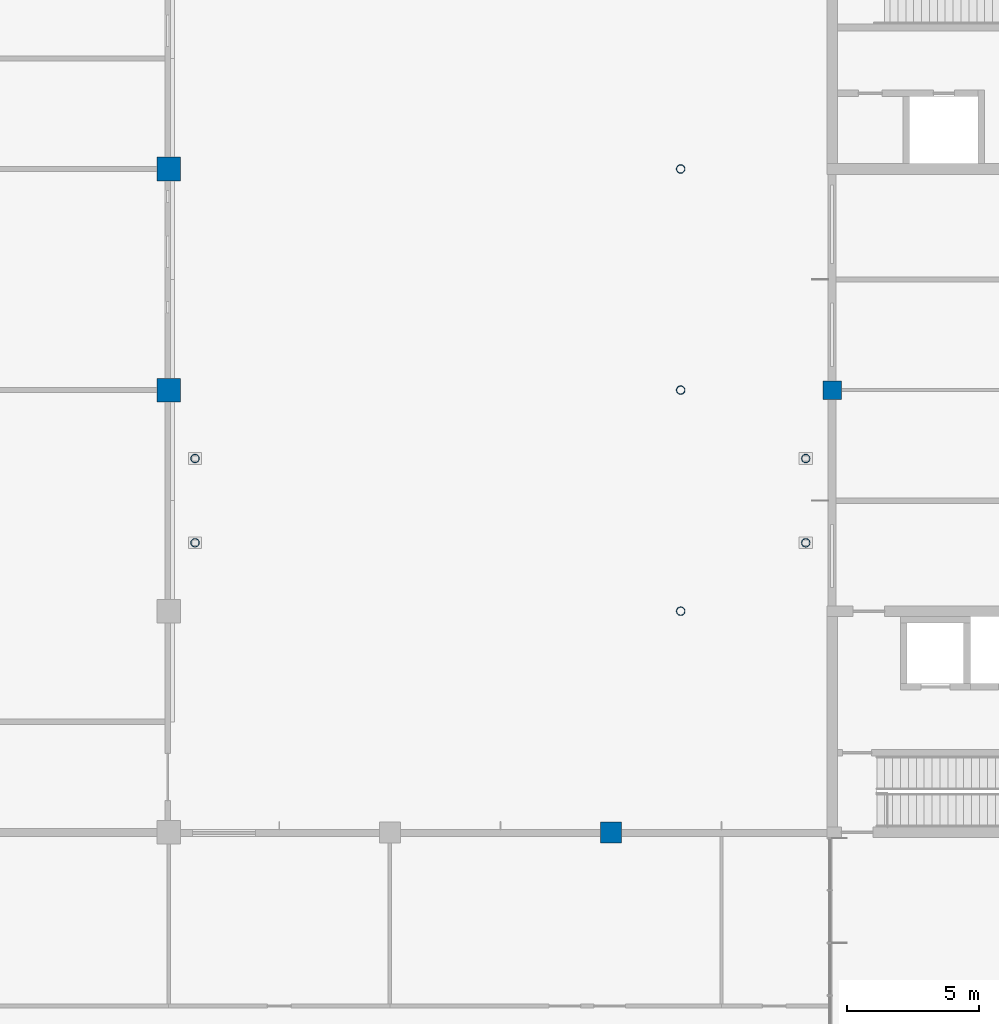
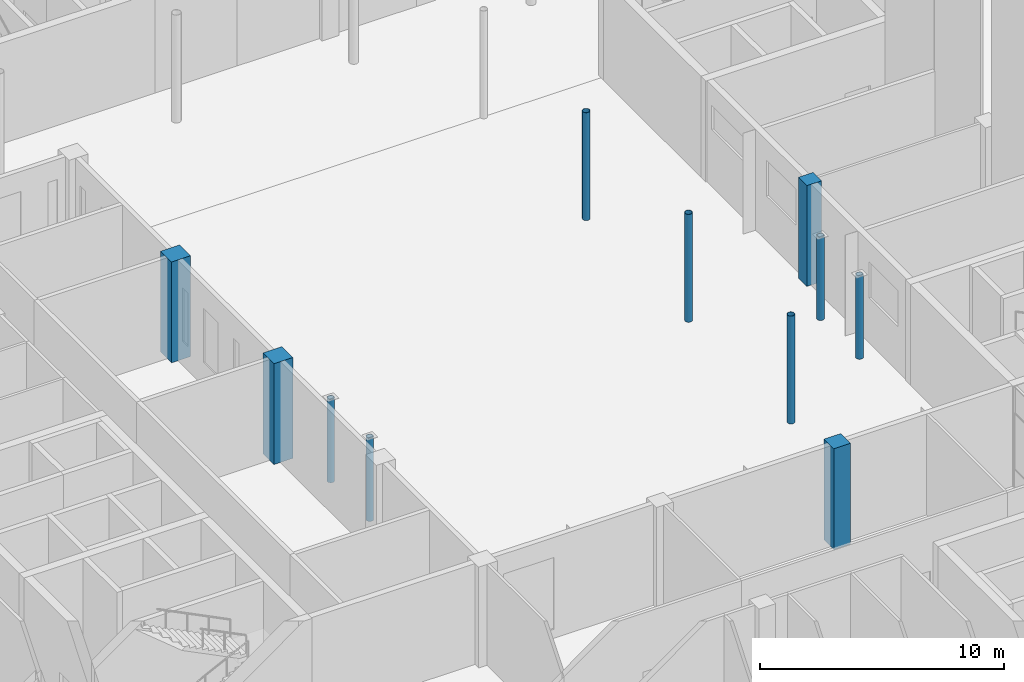
# One storey, part 4 of 76: 11 columns.
"""IFC4 building model written with IfcOpenShell, lengths in metres."""

from ifc_helpers import new_model, si_unit, direction, frame, origin, origin_2d, place, context, subcontext, project, spatial, rectangle, hollow_circle, extrude, material, material_profile, profile_set, type_object, element, save


model = new_model("IFC4")

# Units and contexts
model_context = context("Model", 3, precision=1e-05, world=origin(), true_north=direction((0.0, 1.0)))
body_context = subcontext(model_context, "Body", "Model", "MODEL_VIEW")
ifc_project = project(units=[si_unit("LENGTHUNIT", "METRE"), si_unit("AREAUNIT", "SQUARE_METRE"), si_unit("VOLUMEUNIT", "CUBIC_METRE"), si_unit("PLANEANGLEUNIT", "RADIAN"), si_unit("MASSUNIT", "GRAM", prefix="KILO")], contexts=[model_context])

# Site, building, storey
site_placement = place(None, origin())
site = spatial("IfcSite", under=ifc_project, at=site_placement, CompositionType="ELEMENT")
building_placement = place(site_placement, origin())
building = spatial("IfcBuilding", under=site, at=building_placement, Name="Hlaing Beacon Police Headquarters", CompositionType="ELEMENT")
storey_placement = place(building_placement, origin())
storey = spatial("IfcBuildingStorey", under=building, at=storey_placement, Name="L00", CompositionType="ELEMENT", Elevation=0.0)

# Columns
ifc_material_1 = material(Name="Steel ASTM A500 Grade C", Category="steel")
ifc_material_profile_1 = material_profile(ifc_material_1, hollow_circle(Radius=0.161865234375, WallThickness=0.0126953125, at=origin_2d()), Name="HSS12.750x0.500")
ifc_profile_set_1 = profile_set([ifc_material_profile_1], Name="Steel ASTM A500 Grade C")
column_type_1 = type_object("IfcColumnType", Name="Eave post HSS12.750x0.500", PredefinedType="COLUMN", material=ifc_profile_set_1)
for number, where, z_axis, x_axis, name in (
    (1, (53.050048828125, 42.0, 0.0), (0.0, 0.0, 1.0), (1.0, 0.0, 0.0), "STR-RT-V1-EP2-L00"),
    (2, (53.050048828125, 50.39990234375, 0.0), (0.0, 0.0, 1.0), (1.0, 0.0, 0.0), "STR-RT-V1-EP3-L00"),
    (3, (53.050048828125, 58.800048828125, 0.0), (0.0, 0.0, 1.0), (1.0, 0.0, 0.0), "STR-RT-V1-EP4-L00"),
):
    element("IfcColumn", number, at=place(storey_placement, frame(where, z_axis=z_axis, x_axis=x_axis)), inside=storey, type_object=column_type_1, Name=name, PredefinedType="COLUMN", context=body_context, shape_type="SweptSolid", body=[
        extrude(hollow_circle(Radius=0.161865234375, WallThickness=0.0126953125, at=origin_2d()), origin(), (0.0, 0.0, 1.0), 5.39990234375),
    ])
ifc_material_2 = material(Name="Concrete C50/60", Category="concrete")
ifc_material_profile_2 = material_profile(ifc_material_2, rectangle(XDim=0.699951171875, YDim=0.699951171875, at=origin_2d()), Name="700x700")
ifc_profile_set_2 = profile_set([ifc_material_profile_2], Name="Concrete C50/60")
column_type_2 = type_object("IfcColumnType", Name="RC column 700x700 C50/60", PredefinedType="COLUMN", material=ifc_profile_set_2)
column_1_placement = place(storey_placement, frame((58.800048828125, 50.39990234375, 0.0), z_axis=(0.0, 0.0, 1.0), x_axis=(1.0, 0.0, 0.0)))
element("IfcColumn", 4, at=column_1_placement, inside=storey, type_object=column_type_2, Name="STR-COL-L00-H7", PredefinedType="COLUMN", context=body_context, shape_type="SweptSolid", body=[
    extrude(rectangle(XDim=0.699951171875, YDim=0.699951171875, at=origin_2d()), origin(), (0.0, 0.0, 1.0), 5.050048828125),
])
ifc_material_3 = material(Name="Concrete C50/60", Category="concrete")
ifc_material_profile_3 = material_profile(ifc_material_3, rectangle(XDim=0.800048828125, YDim=0.800048828125, at=origin_2d()), Name="800x800")
ifc_profile_set_3 = profile_set([ifc_material_profile_3], Name="Concrete C50/60")
column_type_3 = type_object("IfcColumnType", Name="RC column 800x800 C50/60", PredefinedType="COLUMN", material=ifc_profile_set_3)
column_2_placement = place(storey_placement, frame((50.39990234375, 33.60009765625, 0.0), z_axis=(0.0, 0.0, 1.0), x_axis=(1.0, 0.0, 0.0)))
element("IfcColumn", 5, at=column_2_placement, inside=storey, type_object=column_type_3, Name="STR-COL-L00-G5", PredefinedType="COLUMN", context=body_context, shape_type="SweptSolid", body=[
    extrude(rectangle(XDim=0.800048828125, YDim=0.800048828125, at=origin_2d()), origin(), (0.0, 0.0, 1.0), 5.050048828125),
])
ifc_material_4 = material(Name="Concrete C50/60", Category="concrete")
ifc_material_profile_4 = material_profile(ifc_material_4, rectangle(XDim=0.89990234375, YDim=0.89990234375, at=origin_2d()), Name="900x900")
ifc_profile_set_4 = profile_set([ifc_material_profile_4], Name="Concrete C50/60")
column_type_4 = type_object("IfcColumnType", Name="RC column 900x900 C50/60", PredefinedType="COLUMN", material=ifc_profile_set_4)
for number, where, z_axis, x_axis, name in (
    (6, (33.60009765625, 50.39990234375, 0.0), (0.0, 0.0, 1.0), (1.0, 0.0, 0.0), "STR-COL-L00-E7"),
    (7, (33.60009765625, 58.800048828125, 0.0), (0.0, 0.0, 1.0), (1.0, 0.0, 0.0), "STR-COL-L00-E8"),
):
    element("IfcColumn", number, at=place(storey_placement, frame(where, z_axis=z_axis, x_axis=x_axis)), inside=storey, type_object=column_type_4, Name=name, PredefinedType="COLUMN", context=body_context, shape_type="SweptSolid", body=[
        extrude(rectangle(XDim=0.89990234375, YDim=0.89990234375, at=origin_2d()), origin(), (0.0, 0.0, 1.0), 5.050048828125),
    ])
ifc_material_5 = material(Name="Steel ASTM A500 Grade C", Category="steel")
ifc_material_profile_5 = material_profile(ifc_material_5, hollow_circle(Radius=0.161865234375, WallThickness=0.0126953125, at=origin_2d()), Name="HSS12.750x0.500")
ifc_profile_set_5 = profile_set([ifc_material_profile_5], Name="Steel ASTM A500 Grade C")
column_type_5 = type_object("IfcColumnType", Name="Steel column HSS12.750x0.500", PredefinedType="COLUMN", material=ifc_profile_set_5)
for number, where, z_axis, x_axis, name in (
    (8, (34.60009765625, 44.60009765625, 0.0), (0.0, 0.0, 1.0), (1.0, 0.0, 0.0), "STR-BG-BR1-PR1"),
    (9, (34.60009765625, 47.800048828125, 0.0), (0.0, 0.0, 1.0), (1.0, 0.0, 0.0), "STR-BG-BR1-PR2"),
    (10, (57.800048828125, 44.60009765625, 0.0), (0.0, 0.0, 1.0), (1.0, 0.0, 0.0), "STR-BG-BR1-PR3"),
    (11, (57.800048828125, 47.800048828125, 0.0), (0.0, 0.0, 1.0), (1.0, 0.0, 0.0), "STR-BG-BR1-PR4"),
):
    element("IfcColumn", number, at=place(storey_placement, frame(where, z_axis=z_axis, x_axis=x_axis)), inside=storey, type_object=column_type_5, Name=name, PredefinedType="COLUMN", context=body_context, shape_type="SweptSolid", body=[
        extrude(hollow_circle(Radius=0.161865234375, WallThickness=0.0126953125, at=origin_2d()), origin(), (0.0, 0.0, 1.0), 4.162353515625),
    ])

save(model, "model.ifc")
